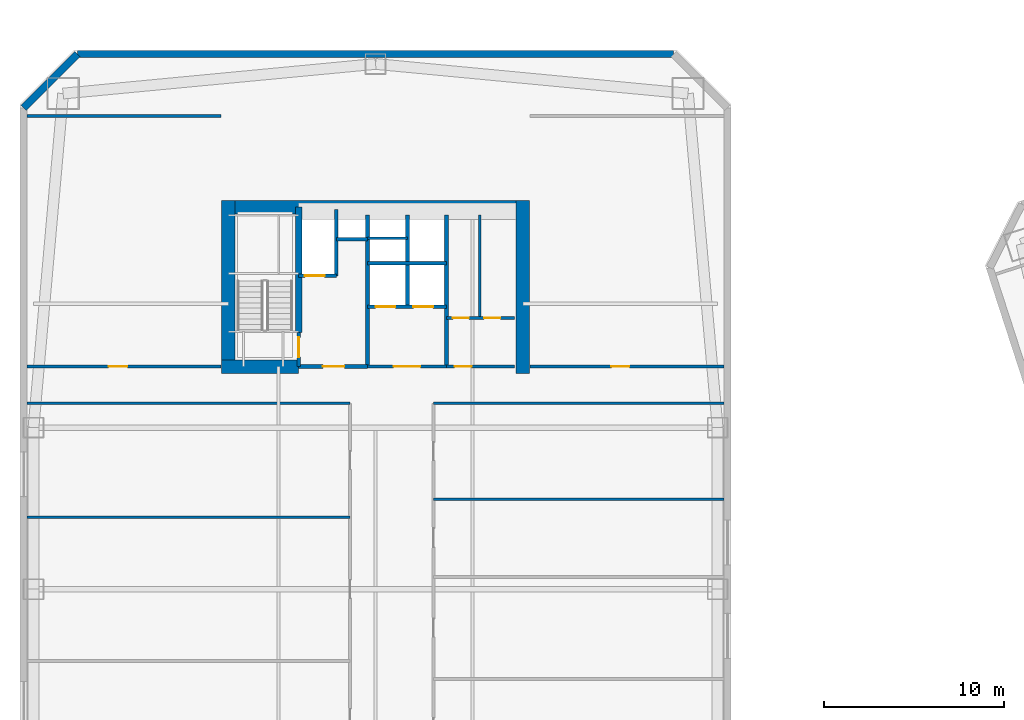
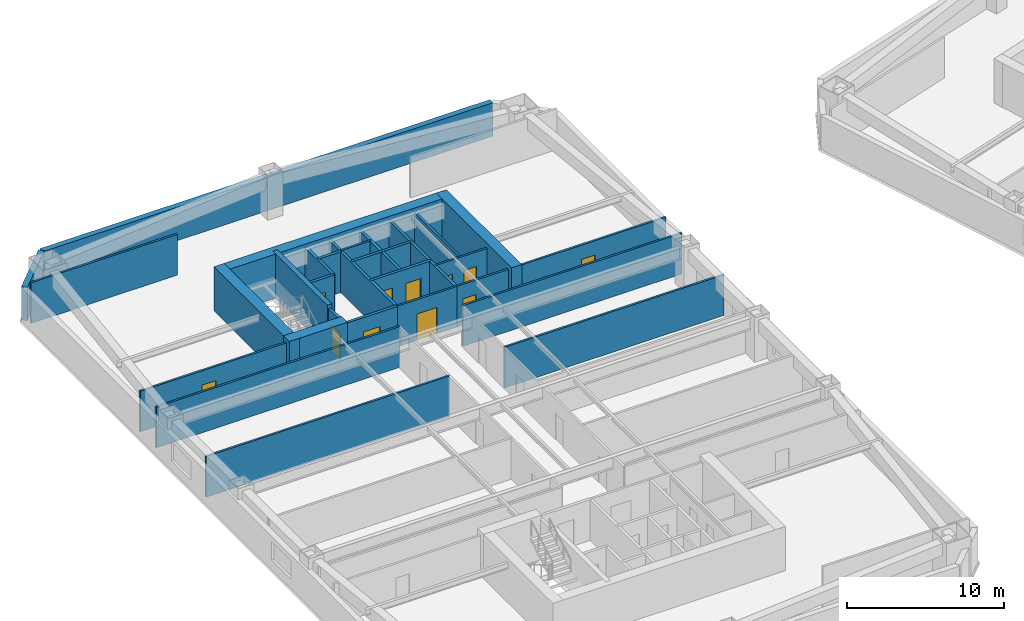
# One storey, part 5 of 11: 29 walls, 11 doors, 11 openings.
"""IFC4 building model written with IfcOpenShell, lengths in metres."""

from ifc_helpers import new_model, si_unit, direction, frame, frame_2d, origin, place, context, subcontext, project, spatial, rectangle, extrude, material, layer, layer_set, type_object, element, fill, save


model = new_model("IFC4")

# Units and contexts
model_context = context("Model", 3, precision=1e-05, world=origin(), true_north=direction((0.0, 1.0)))
body_context = subcontext(model_context, "Body", "Model", "MODEL_VIEW")
ifc_project = project(units=[si_unit("LENGTHUNIT", "METRE"), si_unit("AREAUNIT", "SQUARE_METRE"), si_unit("VOLUMEUNIT", "CUBIC_METRE"), si_unit("PLANEANGLEUNIT", "RADIAN"), si_unit("MASSUNIT", "GRAM", prefix="KILO")], contexts=[model_context])

# Site, building, storey
site_placement = place(None, origin())
site = spatial("IfcSite", under=ifc_project, at=site_placement, CompositionType="ELEMENT")
building_placement = place(site_placement, origin())
building = spatial("IfcBuilding", under=site, at=building_placement, Name="Qiaolan Cultural Towers", CompositionType="ELEMENT")
storey_placement = place(building_placement, frame((0.0, 0.0, 64.39990234375)))
storey = spatial("IfcBuildingStorey", under=building, at=storey_placement, Name="L15", CompositionType="ELEMENT", Elevation=64.39990234375)

# Walls
ifc_material_1 = material(Name="Concrete C50", Category="concrete")
ifc_layer_1 = layer(ifc_material_1, 0.35009765625)
ifc_layer_set_1 = layer_set([ifc_layer_1], Name="Concrete C50")
wall_type_1 = type_object("IfcWallType", Name="WL-CORE-350", PredefinedType="SHEAR", material=ifc_layer_set_1)
wall_1_placement = place(storey_placement, frame((25.719970703125, 48.300048828125, 0.0), z_axis=(0.0, 0.0, 1.0), x_axis=(0.0, 1.0, 0.0)))
element("IfcWall", 1, at=wall_1_placement, inside=storey, type_object=wall_type_1, Name="L15 T1-CN Stair Core Dividing Web", PredefinedType="SHEAR", context=body_context, shape_type="SweptSolid", body=[
    extrude(rectangle(XDim=6.97998046875, YDim=0.35009765625, at=frame_2d((3.489990234375, 0.0))), origin(), (0.0, 0.0, 1.0), 3.4501953125),
])
ifc_material_2 = material(Name="Concrete C60", Category="concrete")
ifc_layer_2 = layer(ifc_material_2, 0.75)
ifc_layer_set_2 = layer_set([ifc_layer_2], Name="Concrete C60")
wall_type_2 = type_object("IfcWallType", Name="WL-CORE-750", PredefinedType="SHEAR", material=ifc_layer_set_2)
wall_2_placement = place(storey_placement, frame((21.425048828125, 55.280029296875, 0.0), z_axis=(0.0, 0.0, 1.0), x_axis=(1.0, 0.0, 0.0)))
element("IfcWall", 2, at=wall_2_placement, inside=storey, type_object=wall_type_2, Name="L15 T1-CN Outer Core Shear Wall", PredefinedType="SHEAR", context=body_context, shape_type="SweptSolid", body=[
    extrude(rectangle(XDim=17.14990234375, YDim=0.75, at=frame_2d((8.574951171875, 0.0))), origin(), (0.0, 0.0, 1.0), 3.4501953125),
])
for number, where, z_axis, x_axis, name in (
    (3, (21.800048828125, 46.02490234375, 0.0), (0.0, 0.0, 1.0), (0.0, 1.0, 0.0), "L15 T1-CN West Core Shear Wall"),
    (4, (38.199951171875, 46.02490234375, 0.0), (0.0, 0.0, 1.0), (0.0, 1.0, 0.0), "L15 T1-CN East Core Shear Wall"),
):
    element("IfcWall", number, at=place(storey_placement, frame(where, z_axis=z_axis, x_axis=x_axis)), inside=storey, type_object=wall_type_2, Name=name, PredefinedType="SHEAR", context=body_context, shape_type="SweptSolid", body=[
        extrude(rectangle(XDim=9.630126953125, YDim=0.75, at=frame_2d((4.81494140625, 0.0))), origin(), (0.0, 0.0, 1.0), 3.4501953125),
    ])
wall_3_placement = place(storey_placement, frame((21.425048828125, 46.39990234375, 0.0), z_axis=(0.0, 0.0, 1.0), x_axis=(1.0, 0.0, 0.0)))
element("IfcWall", 5, at=wall_3_placement, inside=storey, type_object=wall_type_2, Name="L15 T1-CN Stair Front Shear Wall", PredefinedType="SHEAR", context=body_context, shape_type="SweptSolid", body=[
    extrude(rectangle(XDim=4.294921875, YDim=0.75, at=frame_2d((2.1474609375, 0.0))), origin(), (0.0, 0.0, 1.0), 3.4501953125),
])
ifc_material_3 = material(Name="Precast Concrete C50 Honed Stone Pier", Category="masonry")
ifc_layer_3 = layer(ifc_material_3, 0.39990234375)
ifc_layer_set_3 = layer_set([ifc_layer_3], Name="Precast Concrete C50 Honed Stone Pier")
wall_type_3 = type_object("IfcWallType", Name="WL-EXT-PIER-400", PredefinedType="SOLIDWALL", material=ifc_layer_set_3)
wall_4_placement = place(storey_placement, frame((10.39990234375, 60.800048828125, 0.0), z_axis=(0.0, 0.0, 1.0), x_axis=(0.707106781187, 0.707106781187, 0.0)))
element("IfcWall", 6, at=wall_4_placement, inside=storey, type_object=wall_type_3, Name="L15 West Tower Precast Pier Facade Wall F2", PredefinedType="SOLIDWALL", context=body_context, shape_type="SweptSolid", body=[
    extrude(rectangle(XDim=4.24267578125, YDim=0.39990234375, at=frame_2d((2.121337890625, 0.0))), origin(), (0.0, 0.0, 1.0), 2.610107421875),
])
wall_5_placement = place(storey_placement, frame((13.39990234375, 63.800048828125, 0.0), z_axis=(0.0, 0.0, 1.0), x_axis=(1.0, 0.0, 0.0)))
element("IfcWall", 7, at=wall_5_placement, inside=storey, type_object=wall_type_3, Name="L15 West Tower Precast Pier Facade Wall F3", PredefinedType="SOLIDWALL", context=body_context, shape_type="SweptSolid", body=[
    extrude(rectangle(XDim=33.2001953125, YDim=0.39990234375, at=frame_2d((16.60009765625, 0.0))), origin(), (0.0, 0.0, 1.0), 2.610107421875),
])

# Wall, opening, door
ifc_material_4 = material(Name="Concrete C35 Fire Wall", Category="concrete")
ifc_layer_4 = layer(ifc_material_4, 0.199951171875)
ifc_layer_set_4 = layer_set([ifc_layer_4], Name="Concrete C35 Fire Wall")
wall_type_4 = type_object("IfcWallType", Name="WL-FIRE-200", PredefinedType="PARTITIONING", material=ifc_layer_set_4)
wall_6_placement = place(storey_placement, frame((25.719970703125, 46.39990234375, 0.0), z_axis=(0.0, 0.0, 1.0), x_axis=(0.0, 1.0, 0.0)))
wall_6 = element("IfcWall", 8, at=wall_6_placement, inside=storey, type_object=wall_type_4, Name="L15 T1-CN Smokeproof Stair Entry Wall", PredefinedType="PARTITIONING", context=body_context, shape_type="SweptSolid", body=[
    extrude(rectangle(XDim=1.900146484375, YDim=0.199951171875, at=frame_2d((0.9501953125, 0.0))), origin(), (0.0, 0.0, 1.0), 3.175048828125),
])
opening_1_placement = place(wall_6_placement, frame((0.52001953125, 0.0, 0.0)))
opening_1 = element("IfcOpeningElement", 9, at=opening_1_placement, cuts=wall_6, Name="Opening FD-04", PredefinedType="OPENING", context=body_context, shape_type="SweptSolid", body=[
    extrude(rectangle(XDim=1.10009765625, YDim=2.050048828125, at=frame_2d((0.550048828125, 1.02490234375))), frame((0.0, 0.10986328125, 0.0), z_axis=(0.0, -1.0, 0.0), x_axis=(1.0, 0.0, 0.0)), (0.0, 0.0, 1.0), 0.219970703125),
])
ifc_material_5 = material(Name="Galvanized Steel Command Fire Door", Category="steel")
door_type_1 = type_object("IfcDoorType", Name="DR-FD90-1100", OperationType="NOTDEFINED", PredefinedType="DOOR", material=ifc_material_5)
door_1_placement = place(opening_1_placement, origin())
door_1 = element("IfcDoor", 10, at=door_1_placement, inside=storey, type_object=door_type_1, Name="L15 ST-W2 Smokeproof Stair Fire Door", OperationType="SINGLE_SWING_LEFT", OverallHeight=2.050048828125, OverallWidth=1.10009765625, PredefinedType="DOOR", context=body_context, shape_type="SweptSolid", body=[
    extrude(rectangle(XDim=1.10009765625, YDim=2.050048828125, at=frame_2d((0.550048828125, 1.02490234375))), frame((0.0, 0.02490234375, 0.0), z_axis=(0.0, -1.0, 0.0), x_axis=(1.0, 0.0, 0.0)), (0.0, 0.0, 1.0), 0.050048828125),
])
fill(opening_1, door_1)

# Wall
wall_7_placement = place(storey_placement, frame((29.550048828125, 46.39990234375, 0.0), z_axis=(0.0, 0.0, 1.0), x_axis=(0.0, 1.0, 0.0)))
element("IfcWall", 11, at=wall_7_placement, inside=storey, type_object=wall_type_4, Name="L15 T1-CN Firefighting Zone Wall", PredefinedType="PARTITIONING", context=body_context, shape_type="SweptSolid", body=[
    extrude(rectangle(XDim=8.43017578125, YDim=0.199951171875, at=frame_2d((4.215087890625, 0.0))), origin(), (0.0, 0.0, 1.0), 3.175048828125),
])

# Wall, opening, door
wall_8_placement = place(storey_placement, frame((25.719970703125, 46.39990234375, 0.0), z_axis=(0.0, 0.0, 1.0), x_axis=(1.0, 0.0, 0.0)))
wall_8 = element("IfcWall", 12, at=wall_8_placement, inside=storey, type_object=wall_type_4, Name="L15 T1-CN Firefighting Lobby Front Wall", PredefinedType="PARTITIONING", context=body_context, shape_type="SweptSolid", body=[
    extrude(rectangle(XDim=3.830078125, YDim=0.199951171875, at=frame_2d((1.9150390625, 0.0))), origin(), (0.0, 0.0, 1.0), 3.175048828125),
])
opening_2_placement = place(wall_8_placement, frame((1.35009765625, 0.0, 0.0)))
opening_2 = element("IfcOpeningElement", 13, at=opening_2_placement, cuts=wall_8, Name="Opening FD-03", PredefinedType="OPENING", context=body_context, shape_type="SweptSolid", body=[
    extrude(rectangle(XDim=1.199951171875, YDim=2.050048828125, at=frame_2d((0.60009765625, 1.02490234375))), frame((0.0, 0.10986328125, 0.0), z_axis=(0.0, -1.0, 0.0), x_axis=(1.0, 0.0, 0.0)), (0.0, 0.0, 1.0), 0.219970703125),
])
ifc_material_6 = material(Name="Galvanized Steel Smokeproof Lobby Fire Door", Category="steel")
door_type_2 = type_object("IfcDoorType", Name="DR-FD90-1200", OperationType="NOTDEFINED", PredefinedType="DOOR", material=ifc_material_6)
door_2_placement = place(opening_2_placement, origin())
door_2 = element("IfcDoor", 14, at=door_2_placement, inside=storey, type_object=door_type_2, Name="L15 FFL-W2 Firefighting Lobby Fire Door", OperationType="SINGLE_SWING_LEFT", OverallHeight=2.050048828125, OverallWidth=1.199951171875, PredefinedType="DOOR", context=body_context, shape_type="SweptSolid", body=[
    extrude(rectangle(XDim=1.199951171875, YDim=2.050048828125, at=frame_2d((0.60009765625, 1.02490234375))), frame((0.0, 0.02490234375, 0.0), z_axis=(0.0, -1.0, 0.0), x_axis=(1.0, 0.0, 0.0)), (0.0, 0.0, 1.0), 0.050048828125),
])
fill(opening_2, door_2)

wall_9_placement = place(storey_placement, frame((25.719970703125, 51.449951171875, 0.0), z_axis=(0.0, 0.0, 1.0), x_axis=(1.0, 0.0, 0.0)))
wall_9 = element("IfcWall", 15, at=wall_9_placement, inside=storey, type_object=wall_type_4, Name="L15 T1-CN Firefighting Shaft Front Wall", PredefinedType="PARTITIONING", context=body_context, shape_type="SweptSolid", body=[
    extrude(rectangle(XDim=2.10009765625, YDim=0.199951171875, at=frame_2d((1.050048828125, 0.0))), origin(), (0.0, 0.0, 1.0), 3.175048828125),
])
opening_3_placement = place(wall_9_placement, frame((0.35009765625, 0.0, 0.0)))
opening_3 = element("IfcOpeningElement", 16, at=opening_3_placement, cuts=wall_9, Name="Opening LD-01", PredefinedType="OPENING", context=body_context, shape_type="SweptSolid", body=[
    extrude(rectangle(XDim=1.10009765625, YDim=2.050048828125, at=frame_2d((0.550048828125, 1.02490234375))), frame((0.0, 0.10986328125, 0.0), z_axis=(0.0, -1.0, 0.0), x_axis=(1.0, 0.0, 0.0)), (0.0, 0.0, 1.0), 0.219970703125),
])
ifc_material_7 = material(Name="Brushed Stainless Steel S30408 Centre-Parting Lift Landing Door", Category="steel")
door_type_3 = type_object("IfcDoorType", Name="DR-LIFT-1100", OperationType="NOTDEFINED", PredefinedType="DOOR", material=ifc_material_7)
door_3_placement = place(opening_3_placement, origin())
door_3 = element("IfcDoor", 17, at=door_3_placement, inside=storey, type_object=door_type_3, Name="L15 FFL-W2 Firefighting Lift Landing Door", OperationType="DOUBLE_DOOR_SLIDING", OverallHeight=2.050048828125, OverallWidth=1.10009765625, PredefinedType="DOOR", context=body_context, shape_type="SweptSolid", body=[
    extrude(rectangle(XDim=1.10009765625, YDim=2.050048828125, at=frame_2d((0.550048828125, 1.02490234375))), frame((0.0, 0.02490234375, 0.0), z_axis=(0.0, -1.0, 0.0), x_axis=(1.0, 0.0, 0.0)), (0.0, 0.0, 1.0), 0.050048828125),
])
fill(opening_3, door_3)

# Walls
wall_10_placement = place(storey_placement, frame((27.820068359375, 51.449951171875, 0.0), z_axis=(0.0, 0.0, 1.0), x_axis=(0.0, 1.0, 0.0)))
element("IfcWall", 18, at=wall_10_placement, inside=storey, type_object=wall_type_4, Name="L15 T1-CN Firefighting Hoistway East Wall", PredefinedType="PARTITIONING", context=body_context, shape_type="SweptSolid", body=[
    extrude(rectangle(XDim=3.699951171875, YDim=0.199951171875, at=frame_2d((1.85009765625, 0.0))), origin(), (0.0, 0.0, 1.0), 3.175048828125),
])
wall_11_placement = place(storey_placement, frame((27.820068359375, 53.47998046875, 0.0), z_axis=(0.0, 0.0, 1.0), x_axis=(1.0, 0.0, 0.0)))
element("IfcWall", 19, at=wall_11_placement, inside=storey, type_object=wall_type_4, Name="L15 T1-CN Pressurization Shaft Front Wall", PredefinedType="PARTITIONING", context=body_context, shape_type="SweptSolid", body=[
    extrude(rectangle(XDim=1.72998046875, YDim=0.199951171875, at=frame_2d((0.864990234375, 0.0))), origin(), (0.0, 0.0, 1.0), 3.175048828125),
])
wall_12_placement = place(storey_placement, frame((33.949951171875, 46.39990234375, 0.0), z_axis=(0.0, 0.0, 1.0), x_axis=(0.0, 1.0, 0.0)))
element("IfcWall", 20, at=wall_12_placement, inside=storey, type_object=wall_type_4, Name="L15 T1-CN Lift Core East Wall", PredefinedType="PARTITIONING", context=body_context, shape_type="SweptSolid", body=[
    extrude(rectangle(XDim=8.43017578125, YDim=0.199951171875, at=frame_2d((4.215087890625, 0.0))), origin(), (0.0, 0.0, 1.0), 3.175048828125),
])

# Wall, openings, doors
wall_13_placement = place(storey_placement, frame((29.550048828125, 49.719970703125, 0.0), z_axis=(0.0, 0.0, 1.0), x_axis=(1.0, 0.0, 0.0)))
wall_13 = element("IfcWall", 21, at=wall_13_placement, inside=storey, type_object=wall_type_4, Name="L15 T1-CN Passenger Lift Shaft Front Wall", PredefinedType="PARTITIONING", context=body_context, shape_type="SweptSolid", body=[
    extrude(rectangle(XDim=4.39990234375, YDim=0.199951171875, at=frame_2d((2.199951171875, 0.0))), origin(), (0.0, 0.0, 1.0), 3.175048828125),
])
opening_4_placement = place(wall_13_placement, frame((0.449951171875, 0.0, 0.0)))
opening_4 = element("IfcOpeningElement", 22, at=opening_4_placement, cuts=wall_13, Name="Opening LD-01", PredefinedType="OPENING", context=body_context, shape_type="SweptSolid", body=[
    extrude(rectangle(XDim=1.10009765625, YDim=2.050048828125, at=frame_2d((0.550048828125, 1.02490234375))), frame((0.0, 0.10986328125, 0.0), z_axis=(0.0, -1.0, 0.0), x_axis=(1.0, 0.0, 0.0)), (0.0, 0.0, 1.0), 0.219970703125),
])
opening_5_placement = place(wall_13_placement, frame((2.550048828125, 0.0, 0.0)))
opening_5 = element("IfcOpeningElement", 23, at=opening_5_placement, cuts=wall_13, Name="Opening LD-01", PredefinedType="OPENING", context=body_context, shape_type="SweptSolid", body=[
    extrude(rectangle(XDim=1.10009765625, YDim=2.050048828125, at=frame_2d((0.550048828125, 1.02490234375))), frame((0.0, 0.10986328125, 0.0), z_axis=(0.0, -1.0, 0.0), x_axis=(1.0, 0.0, 0.0)), (0.0, 0.0, 1.0), 0.219970703125),
])
door_4_placement = place(opening_4_placement, origin())
door_4 = element("IfcDoor", 24, at=door_4_placement, inside=storey, type_object=door_type_3, Name="L15 Passenger Lift 1 Landing Door", OperationType="DOUBLE_DOOR_SLIDING", OverallHeight=2.050048828125, OverallWidth=1.10009765625, PredefinedType="DOOR", context=body_context, shape_type="SweptSolid", body=[
    extrude(rectangle(XDim=1.10009765625, YDim=2.050048828125, at=frame_2d((0.550048828125, 1.02490234375))), frame((0.0, 0.02490234375, 0.0), z_axis=(0.0, -1.0, 0.0), x_axis=(1.0, 0.0, 0.0)), (0.0, 0.0, 1.0), 0.050048828125),
])
fill(opening_4, door_4)
door_5_placement = place(opening_5_placement, origin())
door_5 = element("IfcDoor", 25, at=door_5_placement, inside=storey, type_object=door_type_3, Name="L15 Passenger Lift 2 Landing Door", OperationType="DOUBLE_DOOR_SLIDING", OverallHeight=2.050048828125, OverallWidth=1.10009765625, PredefinedType="DOOR", context=body_context, shape_type="SweptSolid", body=[
    extrude(rectangle(XDim=1.10009765625, YDim=2.050048828125, at=frame_2d((0.550048828125, 1.02490234375))), frame((0.0, 0.02490234375, 0.0), z_axis=(0.0, -1.0, 0.0), x_axis=(1.0, 0.0, 0.0)), (0.0, 0.0, 1.0), 0.050048828125),
])
fill(opening_5, door_5)

# Walls
wall_14_placement = place(storey_placement, frame((31.780029296875, 49.719970703125, 0.0), z_axis=(0.0, 0.0, 1.0), x_axis=(0.0, 1.0, 0.0)))
element("IfcWall", 26, at=wall_14_placement, inside=storey, type_object=wall_type_4, Name="L15 T1-CN Lift Shaft Divider Wall", PredefinedType="PARTITIONING", context=body_context, shape_type="SweptSolid", body=[
    extrude(rectangle(XDim=5.110107421875, YDim=0.199951171875, at=frame_2d((2.55517578125, 0.0))), origin(), (0.0, 0.0, 1.0), 3.175048828125),
])
wall_15_placement = place(storey_placement, frame((29.550048828125, 52.14990234375, 0.0), z_axis=(0.0, 0.0, 1.0), x_axis=(1.0, 0.0, 0.0)))
element("IfcWall", 27, at=wall_15_placement, inside=storey, type_object=wall_type_4, Name="L15 T1-CN Passenger Lift Shaft Back Wall", PredefinedType="PARTITIONING", context=body_context, shape_type="SweptSolid", body=[
    extrude(rectangle(XDim=4.39990234375, YDim=0.199951171875, at=frame_2d((2.199951171875, 0.0))), origin(), (0.0, 0.0, 1.0), 3.175048828125),
])

# Wall, opening, door
ifc_material_8 = material(Name="Autoclaved Aerated Concrete Block B06", Category="concrete")
ifc_layer_5 = layer(ifc_material_8, 0.14990234375)
ifc_layer_set_5 = layer_set([ifc_layer_5], Name="Autoclaved Aerated Concrete Block B06")
wall_type_5 = type_object("IfcWallType", Name="WL-PART-150", PredefinedType="PARTITIONING", material=ifc_layer_set_5)
wall_16_placement = place(storey_placement, frame((29.550048828125, 46.39990234375, 0.0), z_axis=(0.0, 0.0, 1.0), x_axis=(1.0, 0.0, 0.0)))
wall_16 = element("IfcWall", 28, at=wall_16_placement, inside=storey, type_object=wall_type_5, Name="L15 T1-CN Passenger Lift Lobby Front Wall", PredefinedType="PARTITIONING", context=body_context, shape_type="SweptSolid", body=[
    extrude(rectangle(XDim=4.39990234375, YDim=0.14990234375, at=frame_2d((2.199951171875, 0.0))), origin(), (0.0, 0.0, 1.0), 3.175048828125),
])
opening_6_placement = place(wall_16_placement, frame((1.449951171875, 0.0, 0.0)))
opening_6 = element("IfcOpeningElement", 29, at=opening_6_placement, cuts=wall_16, Name="Opening FD-05", PredefinedType="OPENING", context=body_context, shape_type="SweptSolid", body=[
    extrude(rectangle(XDim=1.5, YDim=2.050048828125, at=frame_2d((0.75, 1.02490234375))), frame((0.0, 0.0849609375, 0.0), z_axis=(0.0, -1.0, 0.0), x_axis=(1.0, 0.0, 0.0)), (0.0, 0.0, 1.0), 0.169921875),
])
ifc_material_9 = material(Name="Painted Steel Lift Lobby Fire Door", Category="steel")
door_type_4 = type_object("IfcDoorType", Name="DR-FD60-1500", OperationType="NOTDEFINED", PredefinedType="DOOR", material=ifc_material_9)
door_6_placement = place(opening_6_placement, origin())
door_6 = element("IfcDoor", 30, at=door_6_placement, inside=storey, type_object=door_type_4, Name="L15 Passenger Lift Lobby Entrance", OperationType="SINGLE_SWING_LEFT", OverallHeight=2.050048828125, OverallWidth=1.5, PredefinedType="DOOR", context=body_context, shape_type="SweptSolid", body=[
    extrude(rectangle(XDim=1.5, YDim=2.050048828125, at=frame_2d((0.75, 1.02490234375))), frame((0.0, 0.02490234375, 0.0), z_axis=(0.0, -1.0, 0.0), x_axis=(1.0, 0.0, 0.0)), (0.0, 0.0, 1.0), 0.050048828125),
])
fill(opening_6, door_6)

# Wall
wall_17_placement = place(storey_placement, frame((29.550048828125, 53.550048828125, 0.0), z_axis=(0.0, 0.0, 1.0), x_axis=(1.0, 0.0, 0.0)))
element("IfcWall", 31, at=wall_17_placement, inside=storey, type_object=wall_type_5, Name="L15 T1-CN Core Rear Riser Split", PredefinedType="PARTITIONING", context=body_context, shape_type="SweptSolid", body=[
    extrude(rectangle(XDim=2.22998046875, YDim=0.14990234375, at=frame_2d((1.114990234375, 0.0))), origin(), (0.0, 0.0, 1.0), 3.175048828125),
])

# Wall, opening, door
wall_18_placement = place(storey_placement, frame((33.949951171875, 46.39990234375, 0.0), z_axis=(0.0, 0.0, 1.0), x_axis=(1.0, 0.0, 0.0)))
wall_18 = element("IfcWall", 32, at=wall_18_placement, inside=storey, type_object=wall_type_5, Name="L15 T1-CN Sanitary Core Front Wall", PredefinedType="PARTITIONING", context=body_context, shape_type="SweptSolid", body=[
    extrude(rectangle(XDim=3.800048828125, YDim=0.14990234375, at=frame_2d((1.89990234375, 0.0))), origin(), (0.0, 0.0, 1.0), 3.175048828125),
])
opening_7_placement = place(wall_18_placement, frame((0.449951171875, 0.0, 0.0)))
opening_7 = element("IfcOpeningElement", 33, at=opening_7_placement, cuts=wall_18, Name="Opening ID-05", PredefinedType="OPENING", context=body_context, shape_type="SweptSolid", body=[
    extrude(rectangle(XDim=0.949951171875, YDim=2.050048828125, at=frame_2d((0.47509765625, 1.02490234375))), frame((0.0, 0.0849609375, 0.0), z_axis=(0.0, -1.0, 0.0), x_axis=(1.0, 0.0, 0.0)), (0.0, 0.0, 1.0), 0.169921875),
])
ifc_material_10 = material(Name="Fire-Rated Laminate Accessible Core Door", Category="timber")
door_type_5 = type_object("IfcDoorType", Name="DR-INT-950", OperationType="NOTDEFINED", PredefinedType="DOOR", material=ifc_material_10)
door_7_placement = place(opening_7_placement, origin())
door_7 = element("IfcDoor", 34, at=door_7_placement, inside=storey, type_object=door_type_5, Name="L15 Sanitary Vestibule Door", OperationType="SINGLE_SWING_LEFT", OverallHeight=2.050048828125, OverallWidth=0.949951171875, PredefinedType="DOOR", context=body_context, shape_type="SweptSolid", body=[
    extrude(rectangle(XDim=0.949951171875, YDim=2.050048828125, at=frame_2d((0.47509765625, 1.02490234375))), frame((0.0, 0.02490234375, 0.0), z_axis=(0.0, -1.0, 0.0), x_axis=(1.0, 0.0, 0.0)), (0.0, 0.0, 1.0), 0.050048828125),
])
fill(opening_7, door_7)

# Wall, openings, doors
wall_19_placement = place(storey_placement, frame((33.949951171875, 49.10009765625, 0.0), z_axis=(0.0, 0.0, 1.0), x_axis=(1.0, 0.0, 0.0)))
wall_19 = element("IfcWall", 35, at=wall_19_placement, inside=storey, type_object=wall_type_5, Name="L15 T1-CN Restroom Vestibule Wall", PredefinedType="PARTITIONING", context=body_context, shape_type="SweptSolid", body=[
    extrude(rectangle(XDim=3.800048828125, YDim=0.14990234375, at=frame_2d((1.89990234375, 0.0))), origin(), (0.0, 0.0, 1.0), 3.175048828125),
])
opening_8_placement = place(wall_19_placement, frame((0.35009765625, 0.0, 0.0)))
opening_8 = element("IfcOpeningElement", 36, at=opening_8_placement, cuts=wall_19, Name="Opening ID-06", PredefinedType="OPENING", context=body_context, shape_type="SweptSolid", body=[
    extrude(rectangle(XDim=0.89990234375, YDim=2.050048828125, at=frame_2d((0.449951171875, 1.02490234375))), frame((0.0, 0.0849609375, 0.0), z_axis=(0.0, -1.0, 0.0), x_axis=(1.0, 0.0, 0.0)), (0.0, 0.0, 1.0), 0.169921875),
])
opening_9_placement = place(wall_19_placement, frame((2.10009765625, 0.0, 0.0)))
opening_9 = element("IfcOpeningElement", 37, at=opening_9_placement, cuts=wall_19, Name="Opening ID-06", PredefinedType="OPENING", context=body_context, shape_type="SweptSolid", body=[
    extrude(rectangle(XDim=0.89990234375, YDim=2.050048828125, at=frame_2d((0.449951171875, 1.02490234375))), frame((0.0, 0.0849609375, 0.0), z_axis=(0.0, -1.0, 0.0), x_axis=(1.0, 0.0, 0.0)), (0.0, 0.0, 1.0), 0.169921875),
])
ifc_material_11 = material(Name="Fire-Rated Laminate Core Service Door", Category="timber")
door_type_6 = type_object("IfcDoorType", Name="DR-INT-900", OperationType="NOTDEFINED", PredefinedType="DOOR", material=ifc_material_11)
door_8_placement = place(opening_8_placement, origin())
door_8 = element("IfcDoor", 38, at=door_8_placement, inside=storey, type_object=door_type_6, Name="L15 Men Restroom Door", OperationType="SINGLE_SWING_LEFT", OverallHeight=2.050048828125, OverallWidth=0.89990234375, PredefinedType="DOOR", context=body_context, shape_type="SweptSolid", body=[
    extrude(rectangle(XDim=0.89990234375, YDim=2.050048828125, at=frame_2d((0.449951171875, 1.02490234375))), frame((0.0, 0.02490234375, 0.0), z_axis=(0.0, -1.0, 0.0), x_axis=(1.0, 0.0, 0.0)), (0.0, 0.0, 1.0), 0.050048828125),
])
fill(opening_8, door_8)
door_9_placement = place(opening_9_placement, origin())
door_9 = element("IfcDoor", 39, at=door_9_placement, inside=storey, type_object=door_type_6, Name="L15 Accessible & Women Restroom Door", OperationType="SINGLE_SWING_RIGHT", OverallHeight=2.050048828125, OverallWidth=0.89990234375, PredefinedType="DOOR", context=body_context, shape_type="SweptSolid", body=[
    extrude(rectangle(XDim=0.89990234375, YDim=2.050048828125, at=frame_2d((0.449951171875, 1.02490234375))), frame((0.0, 0.02490234375, 0.0), z_axis=(0.0, -1.0, 0.0), x_axis=(1.0, 0.0, 0.0)), (0.0, 0.0, 1.0), 0.050048828125),
])
fill(opening_9, door_9)

# Walls
wall_20_placement = place(storey_placement, frame((35.800048828125, 49.10009765625, 0.0), z_axis=(0.0, 0.0, 1.0), x_axis=(0.0, 1.0, 0.0)))
element("IfcWall", 40, at=wall_20_placement, inside=storey, type_object=wall_type_5, Name="L15 T1-CN Restroom Divider Wall", PredefinedType="PARTITIONING", context=body_context, shape_type="SweptSolid", body=[
    extrude(rectangle(XDim=5.72998046875, YDim=0.14990234375, at=frame_2d((2.864990234375, 0.0))), origin(), (0.0, 0.0, 1.0), 3.175048828125),
])
wall_21_placement = place(storey_placement, frame((10.60009765625, 60.35009765625, 0.0), z_axis=(0.0, 0.0, 1.0), x_axis=(1.0, 0.0, 0.0)))
element("IfcWall", 41, at=wall_21_placement, inside=storey, type_object=wall_type_5, Name="L15 T1 Flank Wall FLK-NW", PredefinedType="PARTITIONING", context=body_context, shape_type="SweptSolid", body=[
    extrude(rectangle(XDim=10.7998046875, YDim=0.14990234375, at=frame_2d((5.39990234375, 0.0))), origin(), (0.0, 0.0, 1.0), 3.175048828125),
])

# Wall, opening, door
wall_22_placement = place(storey_placement, frame((10.60009765625, 46.39990234375, 0.0), z_axis=(0.0, 0.0, 1.0), x_axis=(1.0, 0.0, 0.0)))
wall_22 = element("IfcWall", 42, at=wall_22_placement, inside=storey, type_object=wall_type_5, Name="L15 T1 Flank Front FLK-NW", PredefinedType="PARTITIONING", context=body_context, shape_type="SweptSolid", body=[
    extrude(rectangle(XDim=10.7998046875, YDim=0.14990234375, at=frame_2d((5.39990234375, 0.0))), origin(), (0.0, 0.0, 1.0), 3.175048828125),
])
opening_10_placement = place(wall_22_placement, frame((4.535888671875, 0.0, 0.0)))
opening_10 = element("IfcOpeningElement", 43, at=opening_10_placement, cuts=wall_22, Name="Opening ID-07", PredefinedType="OPENING", context=body_context, shape_type="SweptSolid", body=[
    extrude(rectangle(XDim=1.050048828125, YDim=2.050048828125, at=frame_2d((0.52490234375, 1.02490234375))), frame((0.0, 0.0849609375, 0.0), z_axis=(0.0, -1.0, 0.0), x_axis=(1.0, 0.0, 0.0)), (0.0, 0.0, 1.0), 0.169921875),
])
ifc_material_12 = material(Name="Oak Veneer Consultation Door", Category="timber")
door_type_7 = type_object("IfcDoorType", Name="DR-INT-1050", OperationType="NOTDEFINED", PredefinedType="DOOR", material=ifc_material_12)
door_10_placement = place(opening_10_placement, origin())
door_10 = element("IfcDoor", 44, at=door_10_placement, inside=storey, type_object=door_type_7, Name="L15 T1 Corner Studio Door", OperationType="SINGLE_SWING_LEFT", OverallHeight=2.050048828125, OverallWidth=1.050048828125, PredefinedType="DOOR", context=body_context, shape_type="SweptSolid", body=[
    extrude(rectangle(XDim=1.050048828125, YDim=2.050048828125, at=frame_2d((0.52490234375, 1.02490234375))), frame((0.0, 0.02490234375, 0.0), z_axis=(0.0, -1.0, 0.0), x_axis=(1.0, 0.0, 0.0)), (0.0, 0.0, 1.0), 0.050048828125),
])
fill(opening_10, door_10)

wall_23_placement = place(storey_placement, frame((38.60009765625, 46.39990234375, 0.0), z_axis=(0.0, 0.0, 1.0), x_axis=(1.0, 0.0, 0.0)))
wall_23 = element("IfcWall", 45, at=wall_23_placement, inside=storey, type_object=wall_type_5, Name="L15 T1 Flank Front FLK-NE", PredefinedType="PARTITIONING", context=body_context, shape_type="SweptSolid", body=[
    extrude(rectangle(XDim=10.7998046875, YDim=0.14990234375, at=frame_2d((5.39990234375, 0.0))), origin(), (0.0, 0.0, 1.0), 3.175048828125),
])
opening_11_placement = place(wall_23_placement, frame((4.535888671875, 0.0, 0.0)))
opening_11 = element("IfcOpeningElement", 46, at=opening_11_placement, cuts=wall_23, Name="Opening ID-04", PredefinedType="OPENING", context=body_context, shape_type="SweptSolid", body=[
    extrude(rectangle(XDim=1.0, YDim=2.050048828125, at=frame_2d((0.5, 1.02490234375))), frame((0.0, 0.0849609375, 0.0), z_axis=(0.0, -1.0, 0.0), x_axis=(1.0, 0.0, 0.0)), (0.0, 0.0, 1.0), 0.169921875),
])
ifc_material_13 = material(Name="Oak Veneer Acoustic Office Door", Category="timber")
door_type_8 = type_object("IfcDoorType", Name="DR-INT-1000", OperationType="NOTDEFINED", PredefinedType="DOOR", material=ifc_material_13)
door_11_placement = place(opening_11_placement, origin())
door_11 = element("IfcDoor", 47, at=door_11_placement, inside=storey, type_object=door_type_8, Name="L15 T1 Corner Studio Door", OperationType="SINGLE_SWING_LEFT", OverallHeight=2.050048828125, OverallWidth=1.0, PredefinedType="DOOR", context=body_context, shape_type="SweptSolid", body=[
    extrude(rectangle(XDim=1.0, YDim=2.050048828125, at=frame_2d((0.5, 1.02490234375))), frame((0.0, 0.02490234375, 0.0), z_axis=(0.0, -1.0, 0.0), x_axis=(1.0, 0.0, 0.0)), (0.0, 0.0, 1.0), 0.050048828125),
])
fill(opening_11, door_11)

# Walls
wall_24_placement = place(storey_placement, frame((10.60009765625, 44.35009765625, 0.0), z_axis=(0.0, 0.0, 1.0), x_axis=(1.0, 0.0, 0.0)))
element("IfcWall", 48, at=wall_24_placement, inside=storey, type_object=wall_type_5, Name="L15 T1 North Corridor Left Wall", PredefinedType="PARTITIONING", context=body_context, shape_type="SweptSolid", body=[
    extrude(rectangle(XDim=17.974853515625, YDim=0.14990234375, at=frame_2d((8.9873046875, 0.0))), origin(), (0.0, 0.0, 1.0), 3.175048828125),
])
wall_25_placement = place(storey_placement, frame((33.22509765625, 44.35009765625, 0.0), z_axis=(0.0, 0.0, 1.0), x_axis=(1.0, 0.0, 0.0)))
element("IfcWall", 49, at=wall_25_placement, inside=storey, type_object=wall_type_5, Name="L15 T1 North Corridor Right Wall", PredefinedType="PARTITIONING", context=body_context, shape_type="SweptSolid", body=[
    extrude(rectangle(XDim=16.1748046875, YDim=0.14990234375, at=frame_2d((8.08740234375, 0.0))), origin(), (0.0, 0.0, 1.0), 3.175048828125),
])
wall_26_placement = place(storey_placement, frame((10.60009765625, 38.0, 0.0), z_axis=(0.0, 0.0, 1.0), x_axis=(1.0, 0.0, 0.0)))
element("IfcWall", 50, at=wall_26_placement, inside=storey, type_object=wall_type_5, Name="L15 T1 West Partition 2", PredefinedType="PARTITIONING", context=body_context, shape_type="SweptSolid", body=[
    extrude(rectangle(XDim=17.974853515625, YDim=0.14990234375, at=frame_2d((8.9873046875, 0.0))), origin(), (0.0, 0.0, 1.0), 3.175048828125),
])
wall_27_placement = place(storey_placement, frame((33.22509765625, 39.0, 0.0), z_axis=(0.0, 0.0, 1.0), x_axis=(1.0, 0.0, 0.0)))
element("IfcWall", 51, at=wall_27_placement, inside=storey, type_object=wall_type_5, Name="L15 T1 East Partition 3", PredefinedType="PARTITIONING", context=body_context, shape_type="SweptSolid", body=[
    extrude(rectangle(XDim=16.1748046875, YDim=0.14990234375, at=frame_2d((8.08740234375, 0.0))), origin(), (0.0, 0.0, 1.0), 3.175048828125),
])

save(model, "model.ifc")
